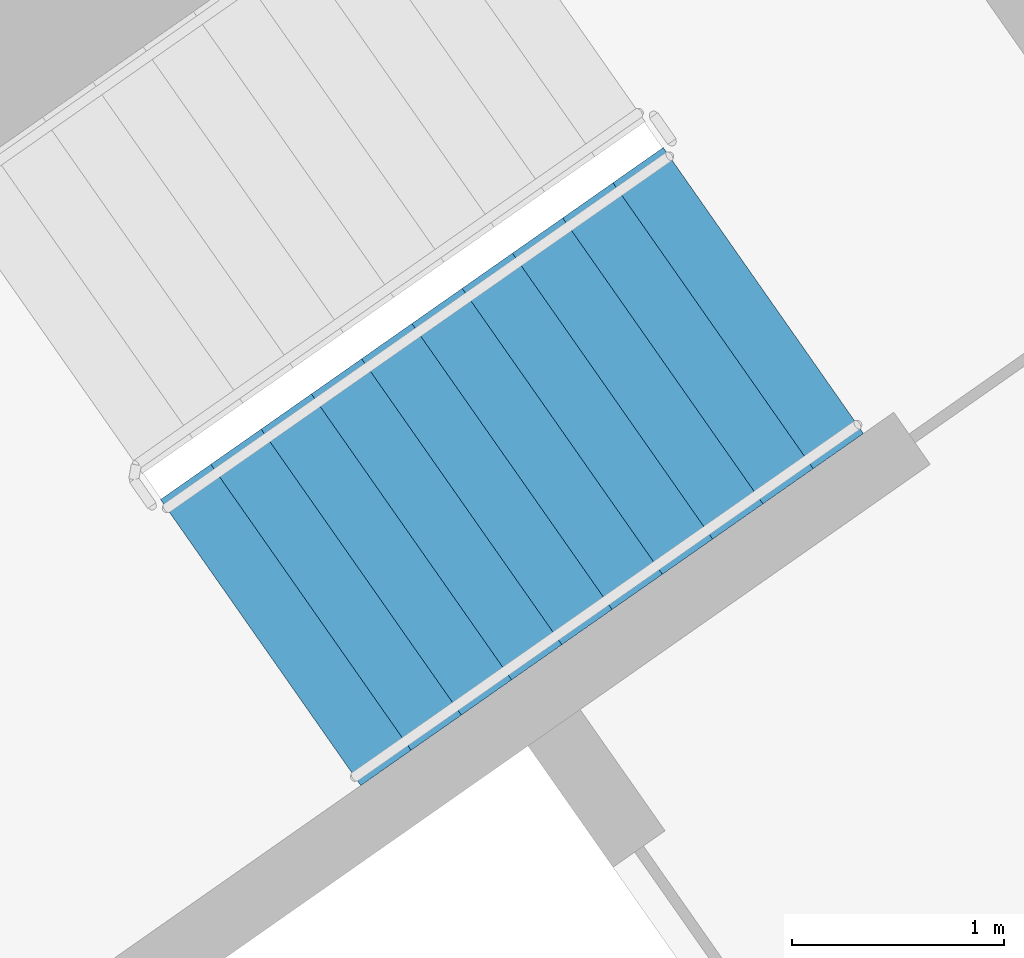
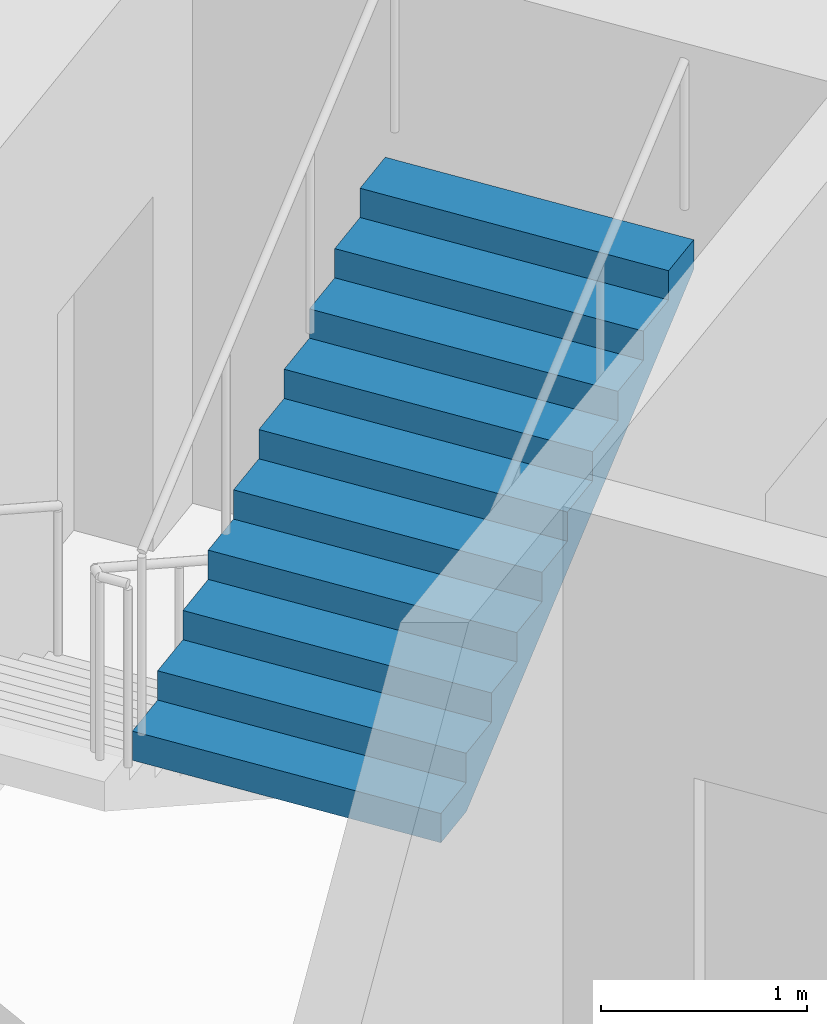
# One storey, part 18 of 29: 1 stair flight, 1 element without a shape of its own.
"""IFC4 building model written with IfcOpenShell, lengths in metres."""

from ifc_helpers import new_model, si_unit, direction, frame, origin, place, context, subcontext, project, spatial, faceted_brep, material, type_object, element, aggregate, save


model = new_model("IFC4")

# Units and contexts
model_context = context("Model", 3, precision=1e-05, world=origin(), true_north=direction((0.0, 1.0)))
body_context = subcontext(model_context, "Body", "Model", "MODEL_VIEW")
ifc_project = project(units=[si_unit("LENGTHUNIT", "METRE"), si_unit("AREAUNIT", "SQUARE_METRE"), si_unit("VOLUMEUNIT", "CUBIC_METRE"), si_unit("PLANEANGLEUNIT", "RADIAN"), si_unit("MASSUNIT", "GRAM", prefix="KILO")], contexts=[model_context])

# Site, building, storey
site_placement = place(None, origin())
site = spatial("IfcSite", under=ifc_project, at=site_placement, CompositionType="ELEMENT")
building_placement = place(site_placement, origin())
building = spatial("IfcBuilding", under=site, at=building_placement, Name="Qamariyya Broadcast Tower", CompositionType="ELEMENT")
storey_placement = place(building_placement, frame((0.0, 0.0, 129.10009765625)))
storey = spatial("IfcBuildingStorey", under=building, at=storey_placement, Name="L29", CompositionType="ELEMENT", Elevation=129.10009765625)

# Stair, stair flight
ifc_material = material(Name="Concrete C50/60", Category="concrete")
stair_type = type_object("IfcStairType", Name="Exit stair 22 risers of 173 mm", PredefinedType="HALF_TURN_STAIR", material=ifc_material)
stair_placement = place(storey_placement, origin())
stair = element("IfcStair", 1, at=stair_placement, inside=storey, type_object=stair_type, Name="L29 Stair E2", PredefinedType="HALF_TURN_STAIR")
stair_flight_type = type_object("IfcStairFlightType", Name="Exit stair flight 11 risers of 173 mm", PredefinedType="STRAIGHT", material=ifc_material)
stair_flight_placement = place(storey_placement, frame((39.215576171875, -50.822998046875, 1.89990234375), z_axis=(0.0, 0.0, 1.0), x_axis=(0.819152044289, 0.573576436351, 0.0)))
stair_flight = element("IfcStairFlight", 2, at=stair_flight_placement, type_object=stair_flight_type, Name="ST-E2 flight 2", NumberOfRisers=11, NumberOfTreads=10, PredefinedType="STRAIGHT", RiserHeight=0.172727273, TreadLength=0.29, context=body_context, shape_type="Brep", body=[
    faceted_brep([(0.0, 0.824951171875, 0.0), (0.0, 0.824951171875, 0.172607421875), (0.2900390625, 0.824951171875, 0.172607421875), (0.2900390625, 0.824951171875, 0.345458984375), (0.580078125, 0.824951171875, 0.345458984375), (0.580078125, 0.824951171875, 0.51806640625), (0.8701171875, 0.824951171875, 0.51806640625), (0.8701171875, 0.824951171875, 0.69091796875), (1.159912109375, 0.824951171875, 0.69091796875), (1.159912109375, 0.824951171875, 0.863525390625), (1.449951171875, 0.824951171875, 0.863525390625), (1.449951171875, 0.824951171875, 1.036376953125), (1.739990234375, 0.824951171875, 1.036376953125), (1.739990234375, 0.824951171875, 1.208984375), (2.030029296875, 0.824951171875, 1.208984375), (2.030029296875, 0.824951171875, 1.3818359375), (2.320068359375, 0.824951171875, 1.3818359375), (2.320068359375, 0.824951171875, 1.554443359375), (2.610107421875, 0.824951171875, 1.554443359375), (2.610107421875, 0.824951171875, 1.727294921875), (2.89990234375, 0.824951171875, 1.727294921875), (2.89990234375, 0.824951171875, 1.552734375), (0.29296875, 0.824951171875, 0.0), (0.29296875, -0.824951171875, 0.0), (2.89990234375, -0.824951171875, 1.552734375), (2.89990234375, -0.824951171875, 1.727294921875), (2.610107421875, -0.824951171875, 1.727294921875), (2.610107421875, -0.824951171875, 1.554443359375), (2.320068359375, -0.824951171875, 1.554443359375), (2.320068359375, -0.824951171875, 1.3818359375), (2.030029296875, -0.824951171875, 1.3818359375), (2.030029296875, -0.824951171875, 1.208984375), (1.739990234375, -0.824951171875, 1.208984375), (1.739990234375, -0.824951171875, 1.036376953125), (1.449951171875, -0.824951171875, 1.036376953125), (1.449951171875, -0.824951171875, 0.863525390625), (1.159912109375, -0.824951171875, 0.863525390625), (1.159912109375, -0.824951171875, 0.69091796875), (0.8701171875, -0.824951171875, 0.69091796875), (0.8701171875, -0.824951171875, 0.51806640625), (0.580078125, -0.824951171875, 0.51806640625), (0.580078125, -0.824951171875, 0.345458984375), (0.2900390625, -0.824951171875, 0.345458984375), (0.2900390625, -0.824951171875, 0.172607421875), (0.0, -0.824951171875, 0.172607421875), (0.0, -0.824951171875, 0.0), (0.0, 0.10009765625, 0.0), (0.0, 0.086669921875, 0.0), (0.0, 0.0732421875, 0.0), (0.0, 0.06005859375, 0.0), (0.0, 0.046630859375, 0.0), (0.0, 0.033447265625, 0.0), (0.0, 0.02001953125, 0.0), (0.0, 0.006591796875, 0.0), (0.0, -0.006591796875, 0.0), (0.0, -0.02001953125, 0.0), (0.0, -0.033447265625, 0.0), (0.0, -0.046630859375, 0.0), (0.0, -0.06005859375, 0.0), (0.0, -0.0732421875, 0.0), (0.0, -0.086669921875, 0.0), (0.0, -0.10009765625, 0.0), (0.0, -0.10009765625, 0.172607421875), (0.0, -0.086669921875, 0.172607421875), (0.0, -0.0732421875, 0.172607421875), (0.0, -0.06005859375, 0.172607421875), (0.0, -0.046630859375, 0.172607421875), (0.0, -0.033447265625, 0.172607421875), (0.0, -0.02001953125, 0.172607421875), (0.0, -0.006591796875, 0.172607421875), (0.0, 0.006591796875, 0.172607421875), (0.0, 0.02001953125, 0.172607421875), (0.0, 0.033447265625, 0.172607421875), (0.0, 0.046630859375, 0.172607421875), (0.0, 0.06005859375, 0.172607421875), (0.0, 0.0732421875, 0.172607421875), (0.0, 0.086669921875, 0.172607421875), (0.0, 0.10009765625, 0.172607421875), (0.2900390625, -0.10009765625, 0.172607421875), (0.2900390625, -0.086669921875, 0.172607421875), (0.2900390625, -0.0732421875, 0.172607421875), (0.2900390625, -0.06005859375, 0.172607421875), (0.2900390625, -0.046630859375, 0.172607421875), (0.2900390625, -0.033447265625, 0.172607421875), (0.2900390625, -0.02001953125, 0.172607421875), (0.2900390625, -0.006591796875, 0.172607421875), (0.2900390625, 0.006591796875, 0.172607421875), (0.2900390625, 0.02001953125, 0.172607421875), (0.2900390625, 0.033447265625, 0.172607421875), (0.2900390625, 0.046630859375, 0.172607421875), (0.2900390625, 0.06005859375, 0.172607421875), (0.2900390625, 0.0732421875, 0.172607421875), (0.2900390625, 0.086669921875, 0.172607421875), (0.2900390625, 0.10009765625, 0.172607421875), (0.2900390625, -0.10009765625, 0.345458984375), (0.2900390625, -0.086669921875, 0.345458984375), (0.2900390625, -0.0732421875, 0.345458984375), (0.2900390625, -0.06005859375, 0.345458984375), (0.2900390625, -0.046630859375, 0.345458984375), (0.2900390625, -0.033447265625, 0.345458984375), (0.2900390625, -0.02001953125, 0.345458984375), (0.2900390625, -0.006591796875, 0.345458984375), (0.2900390625, 0.006591796875, 0.345458984375), (0.2900390625, 0.02001953125, 0.345458984375), (0.2900390625, 0.033447265625, 0.345458984375), (0.2900390625, 0.046630859375, 0.345458984375), (0.2900390625, 0.06005859375, 0.345458984375), (0.2900390625, 0.0732421875, 0.345458984375), (0.2900390625, 0.086669921875, 0.345458984375), (0.2900390625, 0.10009765625, 0.345458984375), (0.580078125, -0.10009765625, 0.345458984375), (0.580078125, -0.086669921875, 0.345458984375), (0.580078125, -0.0732421875, 0.345458984375), (0.580078125, -0.06005859375, 0.345458984375), (0.580078125, -0.046630859375, 0.345458984375), (0.580078125, -0.033447265625, 0.345458984375), (0.580078125, -0.02001953125, 0.345458984375), (0.580078125, -0.006591796875, 0.345458984375), (0.580078125, 0.006591796875, 0.345458984375), (0.580078125, 0.02001953125, 0.345458984375), (0.580078125, 0.033447265625, 0.345458984375), (0.580078125, 0.046630859375, 0.345458984375), (0.580078125, 0.06005859375, 0.345458984375), (0.580078125, 0.0732421875, 0.345458984375), (0.580078125, 0.086669921875, 0.345458984375), (0.580078125, 0.10009765625, 0.345458984375), (0.580078125, -0.10009765625, 0.51806640625), (0.580078125, -0.086669921875, 0.51806640625), (0.580078125, -0.0732421875, 0.51806640625), (0.580078125, -0.06005859375, 0.51806640625), (0.580078125, -0.046630859375, 0.51806640625), (0.580078125, -0.033447265625, 0.51806640625), (0.580078125, -0.02001953125, 0.51806640625), (0.580078125, -0.006591796875, 0.51806640625), (0.580078125, 0.006591796875, 0.51806640625), (0.580078125, 0.02001953125, 0.51806640625), (0.580078125, 0.033447265625, 0.51806640625), (0.580078125, 0.046630859375, 0.51806640625), (0.580078125, 0.06005859375, 0.51806640625), (0.580078125, 0.0732421875, 0.51806640625), (0.580078125, 0.086669921875, 0.51806640625), (0.580078125, 0.10009765625, 0.51806640625), (0.8701171875, -0.10009765625, 0.51806640625), (0.8701171875, -0.086669921875, 0.51806640625), (0.8701171875, -0.0732421875, 0.51806640625), (0.8701171875, -0.06005859375, 0.51806640625), (0.8701171875, -0.046630859375, 0.51806640625), (0.8701171875, -0.033447265625, 0.51806640625), (0.8701171875, -0.02001953125, 0.51806640625), (0.8701171875, -0.006591796875, 0.51806640625), (0.8701171875, 0.006591796875, 0.51806640625), (0.8701171875, 0.02001953125, 0.51806640625), (0.8701171875, 0.033447265625, 0.51806640625), (0.8701171875, 0.046630859375, 0.51806640625), (0.8701171875, 0.06005859375, 0.51806640625), (0.8701171875, 0.0732421875, 0.51806640625), (0.8701171875, 0.086669921875, 0.51806640625), (0.8701171875, 0.10009765625, 0.51806640625), (0.8701171875, -0.10009765625, 0.69091796875), (0.8701171875, -0.086669921875, 0.69091796875), (0.8701171875, -0.0732421875, 0.69091796875), (0.8701171875, -0.06005859375, 0.69091796875), (0.8701171875, -0.046630859375, 0.69091796875), (0.8701171875, -0.033447265625, 0.69091796875), (0.8701171875, -0.02001953125, 0.69091796875), (0.8701171875, -0.006591796875, 0.69091796875), (0.8701171875, 0.006591796875, 0.69091796875), (0.8701171875, 0.02001953125, 0.69091796875), (0.8701171875, 0.033447265625, 0.69091796875), (0.8701171875, 0.046630859375, 0.69091796875), (0.8701171875, 0.06005859375, 0.69091796875), (0.8701171875, 0.0732421875, 0.69091796875), (0.8701171875, 0.086669921875, 0.69091796875), (0.8701171875, 0.10009765625, 0.69091796875), (1.159912109375, -0.10009765625, 0.69091796875), (1.159912109375, -0.086669921875, 0.69091796875), (1.159912109375, -0.0732421875, 0.69091796875), (1.159912109375, -0.06005859375, 0.69091796875), (1.159912109375, -0.046630859375, 0.69091796875), (1.159912109375, -0.033447265625, 0.69091796875), (1.159912109375, -0.02001953125, 0.69091796875), (1.159912109375, -0.006591796875, 0.69091796875), (1.159912109375, 0.006591796875, 0.69091796875), (1.159912109375, 0.02001953125, 0.69091796875), (1.159912109375, 0.033447265625, 0.69091796875), (1.159912109375, 0.046630859375, 0.69091796875), (1.159912109375, 0.06005859375, 0.69091796875), (1.159912109375, 0.0732421875, 0.69091796875), (1.159912109375, 0.086669921875, 0.69091796875), (1.159912109375, 0.10009765625, 0.69091796875), (1.159912109375, -0.10009765625, 0.863525390625), (1.159912109375, -0.086669921875, 0.863525390625), (1.159912109375, -0.0732421875, 0.863525390625), (1.159912109375, -0.06005859375, 0.863525390625), (1.159912109375, -0.046630859375, 0.863525390625), (1.159912109375, -0.033447265625, 0.863525390625), (1.159912109375, -0.02001953125, 0.863525390625), (1.159912109375, -0.006591796875, 0.863525390625), (1.159912109375, 0.006591796875, 0.863525390625), (1.159912109375, 0.02001953125, 0.863525390625), (1.159912109375, 0.033447265625, 0.863525390625), (1.159912109375, 0.046630859375, 0.863525390625), (1.159912109375, 0.06005859375, 0.863525390625), (1.159912109375, 0.0732421875, 0.863525390625), (1.159912109375, 0.086669921875, 0.863525390625), (1.159912109375, 0.10009765625, 0.863525390625), (1.449951171875, -0.10009765625, 0.863525390625), (1.449951171875, -0.086669921875, 0.863525390625), (1.449951171875, -0.0732421875, 0.863525390625), (1.449951171875, -0.06005859375, 0.863525390625), (1.449951171875, -0.046630859375, 0.863525390625), (1.449951171875, -0.033447265625, 0.863525390625), (1.449951171875, -0.02001953125, 0.863525390625), (1.449951171875, -0.006591796875, 0.863525390625), (1.449951171875, 0.006591796875, 0.863525390625), (1.449951171875, 0.02001953125, 0.863525390625), (1.449951171875, 0.033447265625, 0.863525390625), (1.449951171875, 0.046630859375, 0.863525390625), (1.449951171875, 0.06005859375, 0.863525390625), (1.449951171875, 0.0732421875, 0.863525390625), (1.449951171875, 0.086669921875, 0.863525390625), (1.449951171875, 0.10009765625, 0.863525390625), (1.449951171875, -0.10009765625, 1.036376953125), (1.449951171875, -0.086669921875, 1.036376953125), (1.449951171875, -0.0732421875, 1.036376953125), (1.449951171875, -0.06005859375, 1.036376953125), (1.449951171875, -0.046630859375, 1.036376953125), (1.449951171875, -0.033447265625, 1.036376953125), (1.449951171875, -0.02001953125, 1.036376953125), (1.449951171875, -0.006591796875, 1.036376953125), (1.449951171875, 0.006591796875, 1.036376953125), (1.449951171875, 0.02001953125, 1.036376953125), (1.449951171875, 0.033447265625, 1.036376953125), (1.449951171875, 0.046630859375, 1.036376953125), (1.449951171875, 0.06005859375, 1.036376953125), (1.449951171875, 0.0732421875, 1.036376953125), (1.449951171875, 0.086669921875, 1.036376953125), (1.449951171875, 0.10009765625, 1.036376953125), (1.739990234375, -0.10009765625, 1.036376953125), (1.739990234375, -0.086669921875, 1.036376953125), (1.739990234375, -0.0732421875, 1.036376953125), (1.739990234375, -0.06005859375, 1.036376953125), (1.739990234375, -0.046630859375, 1.036376953125), (1.739990234375, -0.033447265625, 1.036376953125), (1.739990234375, -0.02001953125, 1.036376953125), (1.739990234375, -0.006591796875, 1.036376953125), (1.739990234375, 0.006591796875, 1.036376953125), (1.739990234375, 0.02001953125, 1.036376953125), (1.739990234375, 0.033447265625, 1.036376953125), (1.739990234375, 0.046630859375, 1.036376953125), (1.739990234375, 0.06005859375, 1.036376953125), (1.739990234375, 0.0732421875, 1.036376953125), (1.739990234375, 0.086669921875, 1.036376953125), (1.739990234375, 0.10009765625, 1.036376953125), (1.739990234375, -0.10009765625, 1.208984375), (1.739990234375, -0.086669921875, 1.208984375), (1.739990234375, -0.0732421875, 1.208984375), (1.739990234375, -0.06005859375, 1.208984375), (1.739990234375, -0.046630859375, 1.208984375), (1.739990234375, -0.033447265625, 1.208984375), (1.739990234375, -0.02001953125, 1.208984375), (1.739990234375, -0.006591796875, 1.208984375), (1.739990234375, 0.006591796875, 1.208984375), (1.739990234375, 0.02001953125, 1.208984375), (1.739990234375, 0.033447265625, 1.208984375), (1.739990234375, 0.046630859375, 1.208984375), (1.739990234375, 0.06005859375, 1.208984375), (1.739990234375, 0.0732421875, 1.208984375), (1.739990234375, 0.086669921875, 1.208984375), (1.739990234375, 0.10009765625, 1.208984375), (2.030029296875, -0.10009765625, 1.208984375), (2.030029296875, -0.086669921875, 1.208984375), (2.030029296875, -0.0732421875, 1.208984375), (2.030029296875, -0.06005859375, 1.208984375), (2.030029296875, -0.046630859375, 1.208984375), (2.030029296875, -0.033447265625, 1.208984375), (2.030029296875, -0.02001953125, 1.208984375), (2.030029296875, -0.006591796875, 1.208984375), (2.030029296875, 0.006591796875, 1.208984375), (2.030029296875, 0.02001953125, 1.208984375), (2.030029296875, 0.033447265625, 1.208984375), (2.030029296875, 0.046630859375, 1.208984375), (2.030029296875, 0.06005859375, 1.208984375), (2.030029296875, 0.0732421875, 1.208984375), (2.030029296875, 0.086669921875, 1.208984375), (2.030029296875, 0.10009765625, 1.208984375), (2.030029296875, -0.10009765625, 1.3818359375), (2.030029296875, -0.086669921875, 1.3818359375), (2.030029296875, -0.0732421875, 1.3818359375), (2.030029296875, -0.06005859375, 1.3818359375), (2.030029296875, -0.046630859375, 1.3818359375), (2.030029296875, -0.033447265625, 1.3818359375), (2.030029296875, -0.02001953125, 1.3818359375), (2.030029296875, -0.006591796875, 1.3818359375), (2.030029296875, 0.006591796875, 1.3818359375), (2.030029296875, 0.02001953125, 1.3818359375), (2.030029296875, 0.033447265625, 1.3818359375), (2.030029296875, 0.046630859375, 1.3818359375), (2.030029296875, 0.06005859375, 1.3818359375), (2.030029296875, 0.0732421875, 1.3818359375), (2.030029296875, 0.086669921875, 1.3818359375), (2.030029296875, 0.10009765625, 1.3818359375), (2.320068359375, -0.10009765625, 1.3818359375), (2.320068359375, -0.086669921875, 1.3818359375), (2.320068359375, -0.0732421875, 1.3818359375), (2.320068359375, -0.06005859375, 1.3818359375), (2.320068359375, -0.046630859375, 1.3818359375), (2.320068359375, -0.033447265625, 1.3818359375), (2.320068359375, -0.02001953125, 1.3818359375), (2.320068359375, -0.006591796875, 1.3818359375), (2.320068359375, 0.006591796875, 1.3818359375), (2.320068359375, 0.02001953125, 1.3818359375), (2.320068359375, 0.033447265625, 1.3818359375), (2.320068359375, 0.046630859375, 1.3818359375), (2.320068359375, 0.06005859375, 1.3818359375), (2.320068359375, 0.0732421875, 1.3818359375), (2.320068359375, 0.086669921875, 1.3818359375), (2.320068359375, 0.10009765625, 1.3818359375), (2.320068359375, -0.10009765625, 1.554443359375), (2.320068359375, -0.086669921875, 1.554443359375), (2.320068359375, -0.0732421875, 1.554443359375), (2.320068359375, -0.06005859375, 1.554443359375), (2.320068359375, -0.046630859375, 1.554443359375), (2.320068359375, -0.033447265625, 1.554443359375), (2.320068359375, -0.02001953125, 1.554443359375), (2.320068359375, -0.006591796875, 1.554443359375), (2.320068359375, 0.006591796875, 1.554443359375), (2.320068359375, 0.02001953125, 1.554443359375), (2.320068359375, 0.033447265625, 1.554443359375), (2.320068359375, 0.046630859375, 1.554443359375), (2.320068359375, 0.06005859375, 1.554443359375), (2.320068359375, 0.0732421875, 1.554443359375), (2.320068359375, 0.086669921875, 1.554443359375), (2.320068359375, 0.10009765625, 1.554443359375), (2.610107421875, -0.10009765625, 1.554443359375), (2.610107421875, -0.086669921875, 1.554443359375), (2.610107421875, -0.0732421875, 1.554443359375), (2.610107421875, -0.06005859375, 1.554443359375), (2.610107421875, -0.046630859375, 1.554443359375), (2.610107421875, -0.033447265625, 1.554443359375), (2.610107421875, -0.02001953125, 1.554443359375), (2.610107421875, -0.006591796875, 1.554443359375), (2.610107421875, 0.006591796875, 1.554443359375), (2.610107421875, 0.02001953125, 1.554443359375), (2.610107421875, 0.033447265625, 1.554443359375), (2.610107421875, 0.046630859375, 1.554443359375), (2.610107421875, 0.06005859375, 1.554443359375), (2.610107421875, 0.0732421875, 1.554443359375), (2.610107421875, 0.086669921875, 1.554443359375), (2.610107421875, 0.10009765625, 1.554443359375), (2.610107421875, -0.10009765625, 1.727294921875), (2.610107421875, -0.086669921875, 1.727294921875), (2.610107421875, -0.0732421875, 1.727294921875), (2.610107421875, -0.06005859375, 1.727294921875), (2.610107421875, -0.046630859375, 1.727294921875), (2.610107421875, -0.033447265625, 1.727294921875), (2.610107421875, -0.02001953125, 1.727294921875), (2.610107421875, -0.006591796875, 1.727294921875), (2.610107421875, 0.006591796875, 1.727294921875), (2.610107421875, 0.02001953125, 1.727294921875), (2.610107421875, 0.033447265625, 1.727294921875), (2.610107421875, 0.046630859375, 1.727294921875), (2.610107421875, 0.06005859375, 1.727294921875), (2.610107421875, 0.0732421875, 1.727294921875), (2.610107421875, 0.086669921875, 1.727294921875), (2.610107421875, 0.10009765625, 1.727294921875), (2.89990234375, -0.10009765625, 1.727294921875), (2.89990234375, -0.086669921875, 1.727294921875), (2.89990234375, -0.0732421875, 1.727294921875), (2.89990234375, -0.06005859375, 1.727294921875), (2.89990234375, -0.046630859375, 1.727294921875), (2.89990234375, -0.033447265625, 1.727294921875), (2.89990234375, -0.02001953125, 1.727294921875), (2.89990234375, -0.006591796875, 1.727294921875), (2.89990234375, 0.006591796875, 1.727294921875), (2.89990234375, 0.02001953125, 1.727294921875), (2.89990234375, 0.033447265625, 1.727294921875), (2.89990234375, 0.046630859375, 1.727294921875), (2.89990234375, 0.06005859375, 1.727294921875), (2.89990234375, 0.0732421875, 1.727294921875), (2.89990234375, 0.086669921875, 1.727294921875), (2.89990234375, 0.10009765625, 1.727294921875), (2.89990234375, -0.10009765625, 1.552734375), (2.89990234375, -0.086669921875, 1.552734375), (2.89990234375, -0.0732421875, 1.552734375), (2.89990234375, -0.06005859375, 1.552734375), (2.89990234375, -0.046630859375, 1.552734375), (2.89990234375, -0.033447265625, 1.552734375), (2.89990234375, -0.02001953125, 1.552734375), (2.89990234375, -0.006591796875, 1.552734375), (2.89990234375, 0.006591796875, 1.552734375), (2.89990234375, 0.02001953125, 1.552734375), (2.89990234375, 0.033447265625, 1.552734375), (2.89990234375, 0.046630859375, 1.552734375), (2.89990234375, 0.06005859375, 1.552734375), (2.89990234375, 0.0732421875, 1.552734375), (2.89990234375, 0.086669921875, 1.552734375), (2.89990234375, 0.10009765625, 1.552734375), (0.29296875, -0.10009765625, 0.0), (0.29296875, -0.086669921875, 0.0), (0.29296875, -0.0732421875, 0.0), (0.29296875, -0.06005859375, 0.0), (0.29296875, -0.046630859375, 0.0), (0.29296875, -0.033447265625, 0.0), (0.29296875, -0.02001953125, 0.0), (0.29296875, -0.006591796875, 0.0), (0.29296875, 0.006591796875, 0.0), (0.29296875, 0.02001953125, 0.0), (0.29296875, 0.033447265625, 0.0), (0.29296875, 0.046630859375, 0.0), (0.29296875, 0.06005859375, 0.0), (0.29296875, 0.0732421875, 0.0), (0.29296875, 0.086669921875, 0.0), (0.29296875, 0.10009765625, 0.0)], [[[0, 1, 2, 3, 4, 5, 6, 7, 8, 9, 10, 11, 12, 13, 14, 15, 16, 17, 18, 19, 20, 21, 22]], [[23, 24, 25, 26, 27, 28, 29, 30, 31, 32, 33, 34, 35, 36, 37, 38, 39, 40, 41, 42, 43, 44, 45]], [[0, 46, 47, 48, 49, 50, 51, 52, 53, 54, 55, 56, 57, 58, 59, 60, 61, 45, 44, 62, 63, 64, 65, 66, 67, 68, 69, 70, 71, 72, 73, 74, 75, 76, 77, 1]], [[1, 77, 76, 75, 74, 73, 72, 71, 70, 69, 68, 67, 66, 65, 64, 63, 62, 44, 43, 78, 79, 80, 81, 82, 83, 84, 85, 86, 87, 88, 89, 90, 91, 92, 93, 2]], [[2, 93, 92, 91, 90, 89, 88, 87, 86, 85, 84, 83, 82, 81, 80, 79, 78, 43, 42, 94, 95, 96, 97, 98, 99, 100, 101, 102, 103, 104, 105, 106, 107, 108, 109, 3]], [[3, 109, 108, 107, 106, 105, 104, 103, 102, 101, 100, 99, 98, 97, 96, 95, 94, 42, 41, 110, 111, 112, 113, 114, 115, 116, 117, 118, 119, 120, 121, 122, 123, 124, 125, 4]], [[4, 125, 124, 123, 122, 121, 120, 119, 118, 117, 116, 115, 114, 113, 112, 111, 110, 41, 40, 126, 127, 128, 129, 130, 131, 132, 133, 134, 135, 136, 137, 138, 139, 140, 141, 5]], [[5, 141, 140, 139, 138, 137, 136, 135, 134, 133, 132, 131, 130, 129, 128, 127, 126, 40, 39, 142, 143, 144, 145, 146, 147, 148, 149, 150, 151, 152, 153, 154, 155, 156, 157, 6]], [[6, 157, 156, 155, 154, 153, 152, 151, 150, 149, 148, 147, 146, 145, 144, 143, 142, 39, 38, 158, 159, 160, 161, 162, 163, 164, 165, 166, 167, 168, 169, 170, 171, 172, 173, 7]], [[7, 173, 172, 171, 170, 169, 168, 167, 166, 165, 164, 163, 162, 161, 160, 159, 158, 38, 37, 174, 175, 176, 177, 178, 179, 180, 181, 182, 183, 184, 185, 186, 187, 188, 189, 8]], [[8, 189, 188, 187, 186, 185, 184, 183, 182, 181, 180, 179, 178, 177, 176, 175, 174, 37, 36, 190, 191, 192, 193, 194, 195, 196, 197, 198, 199, 200, 201, 202, 203, 204, 205, 9]], [[9, 205, 204, 203, 202, 201, 200, 199, 198, 197, 196, 195, 194, 193, 192, 191, 190, 36, 35, 206, 207, 208, 209, 210, 211, 212, 213, 214, 215, 216, 217, 218, 219, 220, 221, 10]], [[10, 221, 220, 219, 218, 217, 216, 215, 214, 213, 212, 211, 210, 209, 208, 207, 206, 35, 34, 222, 223, 224, 225, 226, 227, 228, 229, 230, 231, 232, 233, 234, 235, 236, 237, 11]], [[11, 237, 236, 235, 234, 233, 232, 231, 230, 229, 228, 227, 226, 225, 224, 223, 222, 34, 33, 238, 239, 240, 241, 242, 243, 244, 245, 246, 247, 248, 249, 250, 251, 252, 253, 12]], [[12, 253, 252, 251, 250, 249, 248, 247, 246, 245, 244, 243, 242, 241, 240, 239, 238, 33, 32, 254, 255, 256, 257, 258, 259, 260, 261, 262, 263, 264, 265, 266, 267, 268, 269, 13]], [[13, 269, 268, 267, 266, 265, 264, 263, 262, 261, 260, 259, 258, 257, 256, 255, 254, 32, 31, 270, 271, 272, 273, 274, 275, 276, 277, 278, 279, 280, 281, 282, 283, 284, 285, 14]], [[14, 285, 284, 283, 282, 281, 280, 279, 278, 277, 276, 275, 274, 273, 272, 271, 270, 31, 30, 286, 287, 288, 289, 290, 291, 292, 293, 294, 295, 296, 297, 298, 299, 300, 301, 15]], [[15, 301, 300, 299, 298, 297, 296, 295, 294, 293, 292, 291, 290, 289, 288, 287, 286, 30, 29, 302, 303, 304, 305, 306, 307, 308, 309, 310, 311, 312, 313, 314, 315, 316, 317, 16]], [[16, 317, 316, 315, 314, 313, 312, 311, 310, 309, 308, 307, 306, 305, 304, 303, 302, 29, 28, 318, 319, 320, 321, 322, 323, 324, 325, 326, 327, 328, 329, 330, 331, 332, 333, 17]], [[17, 333, 332, 331, 330, 329, 328, 327, 326, 325, 324, 323, 322, 321, 320, 319, 318, 28, 27, 334, 335, 336, 337, 338, 339, 340, 341, 342, 343, 344, 345, 346, 347, 348, 349, 18]], [[18, 349, 348, 347, 346, 345, 344, 343, 342, 341, 340, 339, 338, 337, 336, 335, 334, 27, 26, 350, 351, 352, 353, 354, 355, 356, 357, 358, 359, 360, 361, 362, 363, 364, 365, 19]], [[19, 365, 364, 363, 362, 361, 360, 359, 358, 357, 356, 355, 354, 353, 352, 351, 350, 26, 25, 366, 367, 368, 369, 370, 371, 372, 373, 374, 375, 376, 377, 378, 379, 380, 381, 20]], [[20, 381, 380, 379, 378, 377, 376, 375, 374, 373, 372, 371, 370, 369, 368, 367, 366, 25, 24, 382, 383, 384, 385, 386, 387, 388, 389, 390, 391, 392, 393, 394, 395, 396, 397, 21]], [[21, 397, 396, 395, 394, 393, 392, 391, 390, 389, 388, 387, 386, 385, 384, 383, 382, 24, 23, 398, 399, 400, 401, 402, 403, 404, 405, 406, 407, 408, 409, 410, 411, 412, 413, 22]], [[22, 413, 412, 411, 410, 409, 408, 407, 406, 405, 404, 403, 402, 401, 400, 399, 398, 23, 45, 61, 60, 59, 58, 57, 56, 55, 54, 53, 52, 51, 50, 49, 48, 47, 46, 0]]]),
])
aggregate(stair, [stair_flight])

save(model, "model.ifc")
